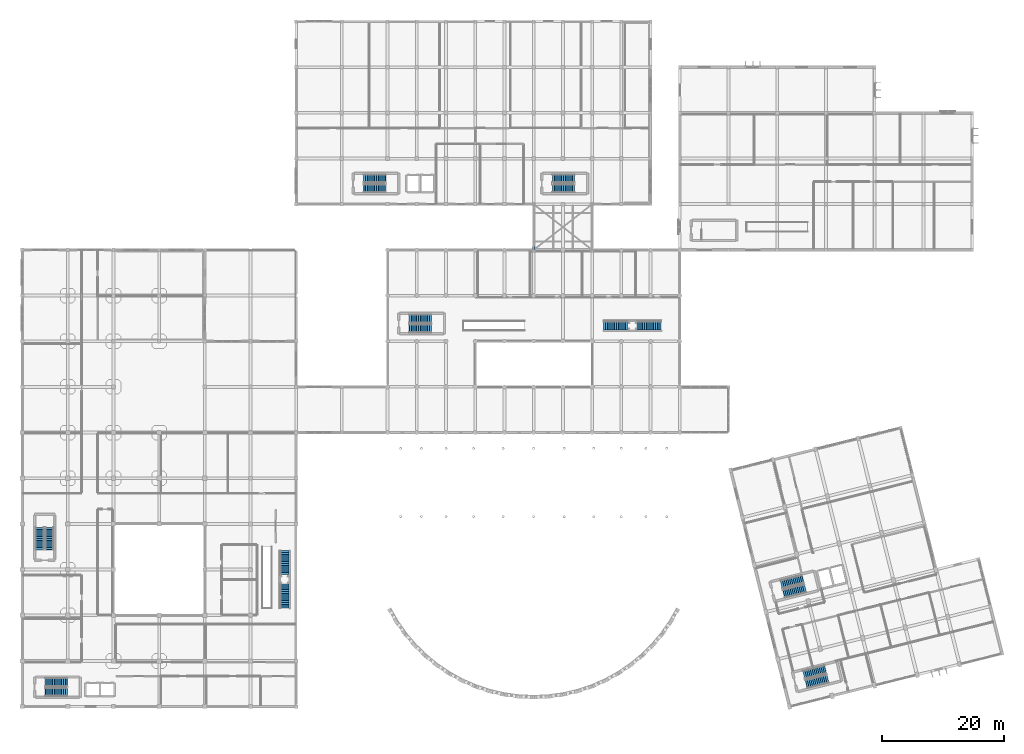
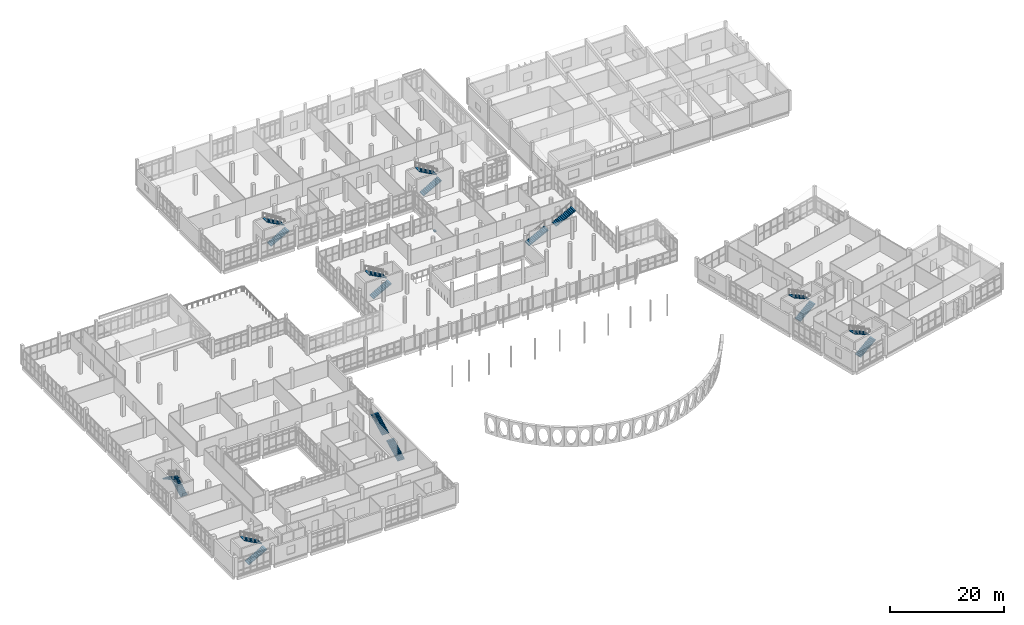
# One storey, part 150 of 164: 18 stair flights, 1 discrete accessory, 9 elements without a shape of their own.
"""IFC4 building model written with IfcOpenShell, lengths in metres."""

from ifc_helpers import new_model, si_unit, direction, frame, origin, origin_2d, place, context, subcontext, project, spatial, polyline, rectangle, outline, extrude, material, layer, layer_set, type_object, element, aggregate, save


model = new_model("IFC4")

# Units and contexts
model_context = context("Model", 3, precision=1e-05, world=origin(), true_north=direction((0.0, 1.0)))
body_context = subcontext(model_context, "Body", "Model", "MODEL_VIEW")
ifc_project = project(units=[si_unit("LENGTHUNIT", "METRE"), si_unit("AREAUNIT", "SQUARE_METRE"), si_unit("VOLUMEUNIT", "CUBIC_METRE"), si_unit("PLANEANGLEUNIT", "RADIAN"), si_unit("MASSUNIT", "GRAM", prefix="KILO")], contexts=[model_context])

# Site, building, storey
site_placement = place(None, origin())
site = spatial("IfcSite", under=ifc_project, at=site_placement, CompositionType="ELEMENT")
building_placement = place(site_placement, origin())
building = spatial("IfcBuilding", under=site, at=building_placement, Name="Mawjan Specialist Oncology Clinic", CompositionType="ELEMENT")
storey_placement = place(building_placement, frame((0.0, 0.0, 5.0)))
storey = spatial("IfcBuildingStorey", under=building, at=storey_placement, Name="L01", CompositionType="ELEMENT", Elevation=5.0)

# Stair, stair flights
ifc_material_1 = material(Name="Concrete C35/45", Category="concrete")
stair_type_1 = type_object("IfcStairType", Name="STR-COMM", PredefinedType="STRAIGHT_RUN_STAIR", material=ifc_material_1)
stair_1_placement = place(storey_placement, origin())
stair_1 = element("IfcStair", 1, at=stair_1_placement, inside=storey, type_object=stair_type_1, Name="Outpatient Court Communicating Stair ST-11", PredefinedType="STRAIGHT_RUN_STAIR")
ifc_material_2 = material(Name="Concrete C35/45", Category="concrete")
ifc_layer_1 = layer(ifc_material_2, 0.159912109375, Name="Concrete C35/45", Category="concrete")
ifc_layer_set_1 = layer_set([ifc_layer_1], Name="Concrete C35/45")
stair_flight_type_1 = type_object("IfcStairFlightType", Name="FLT-COMM", PredefinedType="STRAIGHT", material=ifc_layer_set_1)
stair_flight_1_placement = place(storey_placement, frame((43.10009765625, 17.0, 0.0), z_axis=(0.0, 0.0, 1.0), x_axis=(0.0, 1.0, 0.0)))
stair_flight_1 = element("IfcStairFlight", 2, at=stair_flight_1_placement, type_object=stair_flight_type_1, Name="ST-11 flight 1", NumberOfRisers=14, NumberOfTreads=13, PredefinedType="STRAIGHT", RiserHeight=0.160714, TreadLength=0.3, context=body_context, shape_type="SweptSolid", body=[
    extrude(outline(polyline([(-0.044921875, -0.0400390625), (-0.044921875, 0.0), (0.0, 0.0), (0.0, 0.16064453125), (0.300048828125, 0.16064453125), (0.300048828125, 0.321533203125), (0.60009765625, 0.321533203125), (0.60009765625, 0.482177734375), (0.89990234375, 0.482177734375), (0.89990234375, 0.642822265625), (1.199951171875, 0.642822265625), (1.199951171875, 0.803466796875), (1.5, 0.803466796875), (1.5, 0.96435546875), (1.800048828125, 0.96435546875), (1.800048828125, 1.125), (2.10009765625, 1.125), (2.10009765625, 1.28564453125), (2.39990234375, 1.28564453125), (2.39990234375, 1.446533203125), (2.699951171875, 1.446533203125), (2.699951171875, 1.607177734375), (3.0, 1.607177734375), (3.0, 1.767822265625), (3.300048828125, 1.767822265625), (3.300048828125, 1.928466796875), (3.60009765625, 1.928466796875), (3.60009765625, 2.08935546875), (3.89990234375, 2.08935546875), (3.945068359375, 2.08935546875), (3.945068359375, 1.929443359375), (0.044921875, -0.0400390625), (-0.044921875, -0.0400390625)])), frame((0.0, 0.72509765625, 0.0), z_axis=(0.0, -1.0, 0.0), x_axis=(1.0, 0.0, 0.0)), (0.0, 0.0, 1.0), 1.449951171875),
])
stair_flight_2_placement = place(storey_placement, frame((43.10009765625, 22.5, 2.25), z_axis=(0.0, 0.0, 1.0), x_axis=(0.0, 1.0, 0.0)))
stair_flight_2 = element("IfcStairFlight", 3, at=stair_flight_2_placement, type_object=stair_flight_type_1, Name="ST-11 flight 2", NumberOfRisers=14, NumberOfTreads=13, PredefinedType="STRAIGHT", RiserHeight=0.160714, TreadLength=0.3, context=body_context, shape_type="SweptSolid", body=[
    extrude(outline(polyline([(-0.044921875, -0.0400390625), (-0.044921875, 0.0), (0.0, 0.0), (0.0, 0.16064453125), (0.300048828125, 0.16064453125), (0.300048828125, 0.321533203125), (0.60009765625, 0.321533203125), (0.60009765625, 0.482177734375), (0.89990234375, 0.482177734375), (0.89990234375, 0.642822265625), (1.199951171875, 0.642822265625), (1.199951171875, 0.803466796875), (1.5, 0.803466796875), (1.5, 0.96435546875), (1.800048828125, 0.96435546875), (1.800048828125, 1.125), (2.10009765625, 1.125), (2.10009765625, 1.28564453125), (2.39990234375, 1.28564453125), (2.39990234375, 1.446533203125), (2.699951171875, 1.446533203125), (2.699951171875, 1.607177734375), (3.0, 1.607177734375), (3.0, 1.767822265625), (3.300048828125, 1.767822265625), (3.300048828125, 1.928466796875), (3.60009765625, 1.928466796875), (3.60009765625, 2.08935546875), (3.89990234375, 2.08935546875), (3.945068359375, 2.08935546875), (3.945068359375, 1.929443359375), (0.044921875, -0.0400390625), (-0.044921875, -0.0400390625)])), frame((0.0, 0.72509765625, 0.0), z_axis=(0.0, -1.0, 0.0), x_axis=(1.0, 0.0, 0.0)), (0.0, 0.0, 1.0), 1.449951171875),
])
aggregate(stair_1, [stair_flight_1, stair_flight_2])

stair_2_placement = place(storey_placement, origin())
stair_2 = element("IfcStair", 4, at=stair_2_placement, inside=storey, type_object=stair_type_1, Name="Treatment Gallery Communicating Stair ST-13", PredefinedType="STRAIGHT_RUN_STAIR")
stair_flight_3_placement = place(storey_placement, frame((95.5, 63.35009765625, 0.0), z_axis=(0.0, 0.0, 1.0), x_axis=(1.0, 0.0, 0.0)))
stair_flight_3 = element("IfcStairFlight", 5, at=stair_flight_3_placement, type_object=stair_flight_type_1, Name="ST-13 flight 1", NumberOfRisers=14, NumberOfTreads=13, PredefinedType="STRAIGHT", RiserHeight=0.160714, TreadLength=0.3, context=body_context, shape_type="SweptSolid", body=[
    extrude(outline(polyline([(-0.044921875, -0.0400390625), (-0.044921875, 0.0), (0.0, 0.0), (0.0, 0.16064453125), (0.300048828125, 0.16064453125), (0.300048828125, 0.321533203125), (0.60009765625, 0.321533203125), (0.60009765625, 0.482177734375), (0.89990234375, 0.482177734375), (0.89990234375, 0.642822265625), (1.199951171875, 0.642822265625), (1.199951171875, 0.803466796875), (1.5, 0.803466796875), (1.5, 0.96435546875), (1.800048828125, 0.96435546875), (1.800048828125, 1.125), (2.10009765625, 1.125), (2.10009765625, 1.28564453125), (2.39990234375, 1.28564453125), (2.39990234375, 1.446533203125), (2.699951171875, 1.446533203125), (2.699951171875, 1.607177734375), (3.0, 1.607177734375), (3.0, 1.767822265625), (3.300048828125, 1.767822265625), (3.300048828125, 1.928466796875), (3.60009765625, 1.928466796875), (3.60009765625, 2.08935546875), (3.89990234375, 2.08935546875), (3.945068359375, 2.08935546875), (3.945068359375, 1.929443359375), (0.044921875, -0.0400390625), (-0.044921875, -0.0400390625)])), frame((0.0, 0.72509765625, 0.0), z_axis=(0.0, -1.0, 0.0), x_axis=(1.0, 0.0, 0.0)), (0.0, 0.0, 1.0), 1.449951171875),
])
stair_flight_4_placement = place(storey_placement, frame((101.0, 63.35009765625, 2.25), z_axis=(0.0, 0.0, 1.0), x_axis=(1.0, 0.0, 0.0)))
stair_flight_4 = element("IfcStairFlight", 6, at=stair_flight_4_placement, type_object=stair_flight_type_1, Name="ST-13 flight 2", NumberOfRisers=14, NumberOfTreads=13, PredefinedType="STRAIGHT", RiserHeight=0.160714, TreadLength=0.3, context=body_context, shape_type="SweptSolid", body=[
    extrude(outline(polyline([(-0.044921875, -0.0400390625), (-0.044921875, 0.0), (0.0, 0.0), (0.0, 0.16064453125), (0.300048828125, 0.16064453125), (0.300048828125, 0.321533203125), (0.60009765625, 0.321533203125), (0.60009765625, 0.482177734375), (0.89990234375, 0.482177734375), (0.89990234375, 0.642822265625), (1.199951171875, 0.642822265625), (1.199951171875, 0.803466796875), (1.5, 0.803466796875), (1.5, 0.96435546875), (1.800048828125, 0.96435546875), (1.800048828125, 1.125), (2.10009765625, 1.125), (2.10009765625, 1.28564453125), (2.39990234375, 1.28564453125), (2.39990234375, 1.446533203125), (2.699951171875, 1.446533203125), (2.699951171875, 1.607177734375), (3.0, 1.607177734375), (3.0, 1.767822265625), (3.300048828125, 1.767822265625), (3.300048828125, 1.928466796875), (3.60009765625, 1.928466796875), (3.60009765625, 2.08935546875), (3.89990234375, 2.08935546875), (3.945068359375, 2.08935546875), (3.945068359375, 1.929443359375), (0.044921875, -0.0400390625), (-0.044921875, -0.0400390625)])), frame((0.0, 0.72509765625, 0.0), z_axis=(0.0, -1.0, 0.0), x_axis=(1.0, 0.0, 0.0)), (0.0, 0.0, 1.0), 1.449951171875),
])
aggregate(stair_2, [stair_flight_3, stair_flight_4])

ifc_material_3 = material(Name="Concrete C35/45", Category="concrete")
stair_type_2 = type_object("IfcStairType", Name="STR-CORE45", PredefinedType="HALF_TURN_STAIR", material=ifc_material_3)
stair_3_placement = place(storey_placement, origin())
stair_3 = element("IfcStair", 7, at=stair_3_placement, inside=storey, type_object=stair_type_2, Name="L01 Exit Stair ST-01", PredefinedType="HALF_TURN_STAIR")
ifc_material_4 = material(Name="Concrete C35/45", Category="concrete")
ifc_layer_2 = layer(ifc_material_4, 0.14990234375, Name="Concrete C35/45", Category="concrete")
ifc_layer_set_2 = layer_set([ifc_layer_2], Name="Concrete C35/45")
stair_flight_type_2 = type_object("IfcStairFlightType", Name="FLT-CORE45", PredefinedType="STRAIGHT", material=ifc_layer_set_2)
stair_flight_5_placement = place(storey_placement, frame((3.800048828125, 3.199951171875, 0.0), z_axis=(0.0, 0.0, 1.0), x_axis=(1.0, 0.0, 0.0)))
stair_flight_5 = element("IfcStairFlight", 8, at=stair_flight_5_placement, type_object=stair_flight_type_2, Name="ST-01 flight 1", NumberOfRisers=13, NumberOfTreads=12, PredefinedType="STRAIGHT", RiserHeight=0.173076923, TreadLength=0.3, context=body_context, shape_type="SweptSolid", body=[
    extrude(outline(polyline([(-0.044921875, -0.0400390625), (-0.044921875, 0.0), (0.0, 0.0), (0.0, 0.173095703125), (0.300048828125, 0.173095703125), (0.300048828125, 0.34619140625), (0.60009765625, 0.34619140625), (0.60009765625, 0.519287109375), (0.89990234375, 0.519287109375), (0.89990234375, 0.6923828125), (1.199951171875, 0.6923828125), (1.199951171875, 0.865478515625), (1.5, 0.865478515625), (1.5, 1.03857421875), (1.800048828125, 1.03857421875), (1.800048828125, 1.21142578125), (2.10009765625, 1.21142578125), (2.10009765625, 1.384521484375), (2.39990234375, 1.384521484375), (2.39990234375, 1.5576171875), (2.699951171875, 1.5576171875), (2.699951171875, 1.730712890625), (3.0, 1.730712890625), (3.0, 1.90380859375), (3.300048828125, 1.90380859375), (3.300048828125, 2.076904296875), (3.60009765625, 2.076904296875), (3.64501953125, 2.076904296875), (3.64501953125, 1.927001953125), (0.044921875, -0.0400390625), (-0.044921875, -0.0400390625)])), frame((0.0, 0.699951171875, 0.0), z_axis=(0.0, -1.0, 0.0), x_axis=(1.0, 0.0, 0.0)), (0.0, 0.0, 1.0), 1.39990234375),
])
stair_flight_6_placement = place(storey_placement, frame((7.39990234375, 4.800048828125, 2.25), z_axis=(0.0, 0.0, 1.0), x_axis=(-1.0, 0.0, 0.0)))
stair_flight_6 = element("IfcStairFlight", 9, at=stair_flight_6_placement, type_object=stair_flight_type_2, Name="ST-01 flight 2", NumberOfRisers=13, NumberOfTreads=12, PredefinedType="STRAIGHT", RiserHeight=0.173076923, TreadLength=0.3, context=body_context, shape_type="SweptSolid", body=[
    extrude(outline(polyline([(-0.044921875, -0.0400390625), (-0.044921875, 0.0), (0.0, 0.0), (0.0, 0.173095703125), (0.300048828125, 0.173095703125), (0.300048828125, 0.34619140625), (0.60009765625, 0.34619140625), (0.60009765625, 0.519287109375), (0.89990234375, 0.519287109375), (0.89990234375, 0.6923828125), (1.199951171875, 0.6923828125), (1.199951171875, 0.865478515625), (1.5, 0.865478515625), (1.5, 1.03857421875), (1.800048828125, 1.03857421875), (1.800048828125, 1.21142578125), (2.10009765625, 1.21142578125), (2.10009765625, 1.384521484375), (2.39990234375, 1.384521484375), (2.39990234375, 1.5576171875), (2.699951171875, 1.5576171875), (2.699951171875, 1.730712890625), (3.0, 1.730712890625), (3.0, 1.90380859375), (3.300048828125, 1.90380859375), (3.300048828125, 2.076904296875), (3.60009765625, 2.076904296875), (3.64501953125, 2.076904296875), (3.64501953125, 1.927001953125), (0.044921875, -0.0400390625), (-0.044921875, -0.0400390625)])), frame((0.0, 0.699951171875, 0.0), z_axis=(0.0, -1.0, 0.0), x_axis=(1.0, 0.0, 0.0)), (0.0, 0.0, 1.0), 1.39990234375),
])
aggregate(stair_3, [stair_flight_5, stair_flight_6])

stair_4_placement = place(storey_placement, origin())
stair_4 = element("IfcStair", 10, at=stair_4_placement, inside=storey, type_object=stair_type_2, Name="L01 Exit Stair ST-02", PredefinedType="HALF_TURN_STAIR")
stair_flight_7_placement = place(storey_placement, frame((4.5, 26.60009765625, 0.0), z_axis=(0.0, 0.0, 1.0), x_axis=(0.0, 1.0, 0.0)))
stair_flight_7 = element("IfcStairFlight", 11, at=stair_flight_7_placement, type_object=stair_flight_type_2, Name="ST-02 flight 1", NumberOfRisers=13, NumberOfTreads=12, PredefinedType="STRAIGHT", RiserHeight=0.173076923, TreadLength=0.3, context=body_context, shape_type="SweptSolid", body=[
    extrude(outline(polyline([(-0.044921875, -0.0400390625), (-0.044921875, 0.0), (0.0, 0.0), (0.0, 0.173095703125), (0.300048828125, 0.173095703125), (0.300048828125, 0.34619140625), (0.60009765625, 0.34619140625), (0.60009765625, 0.519287109375), (0.89990234375, 0.519287109375), (0.89990234375, 0.6923828125), (1.199951171875, 0.6923828125), (1.199951171875, 0.865478515625), (1.5, 0.865478515625), (1.5, 1.03857421875), (1.800048828125, 1.03857421875), (1.800048828125, 1.21142578125), (2.10009765625, 1.21142578125), (2.10009765625, 1.384521484375), (2.39990234375, 1.384521484375), (2.39990234375, 1.5576171875), (2.699951171875, 1.5576171875), (2.699951171875, 1.730712890625), (3.0, 1.730712890625), (3.0, 1.90380859375), (3.300048828125, 1.90380859375), (3.300048828125, 2.076904296875), (3.60009765625, 2.076904296875), (3.64501953125, 2.076904296875), (3.64501953125, 1.927001953125), (0.044921875, -0.0400390625), (-0.044921875, -0.0400390625)])), frame((0.0, 0.699951171875, 0.0), z_axis=(0.0, -1.0, 0.0), x_axis=(1.0, 0.0, 0.0)), (0.0, 0.0, 1.0), 1.39990234375),
])
stair_flight_8_placement = place(storey_placement, frame((2.89990234375, 30.199951171875, 2.25), z_axis=(0.0, 0.0, 1.0), x_axis=(0.0, -1.0, 0.0)))
stair_flight_8 = element("IfcStairFlight", 12, at=stair_flight_8_placement, type_object=stair_flight_type_2, Name="ST-02 flight 2", NumberOfRisers=13, NumberOfTreads=12, PredefinedType="STRAIGHT", RiserHeight=0.173076923, TreadLength=0.3, context=body_context, shape_type="SweptSolid", body=[
    extrude(outline(polyline([(-0.044921875, -0.0400390625), (-0.044921875, 0.0), (0.0, 0.0), (0.0, 0.173095703125), (0.300048828125, 0.173095703125), (0.300048828125, 0.34619140625), (0.60009765625, 0.34619140625), (0.60009765625, 0.519287109375), (0.89990234375, 0.519287109375), (0.89990234375, 0.6923828125), (1.199951171875, 0.6923828125), (1.199951171875, 0.865478515625), (1.5, 0.865478515625), (1.5, 1.03857421875), (1.800048828125, 1.03857421875), (1.800048828125, 1.21142578125), (2.10009765625, 1.21142578125), (2.10009765625, 1.384521484375), (2.39990234375, 1.384521484375), (2.39990234375, 1.5576171875), (2.699951171875, 1.5576171875), (2.699951171875, 1.730712890625), (3.0, 1.730712890625), (3.0, 1.90380859375), (3.300048828125, 1.90380859375), (3.300048828125, 2.076904296875), (3.60009765625, 2.076904296875), (3.64501953125, 2.076904296875), (3.64501953125, 1.927001953125), (0.044921875, -0.0400390625), (-0.044921875, -0.0400390625)])), frame((0.0, 0.699951171875, 0.0), z_axis=(0.0, -1.0, 0.0), x_axis=(1.0, 0.0, 0.0)), (0.0, 0.0, 1.0), 1.39990234375),
])
aggregate(stair_4, [stair_flight_7, stair_flight_8])

stair_5_placement = place(storey_placement, origin())
stair_5 = element("IfcStair", 13, at=stair_5_placement, inside=storey, type_object=stair_type_2, Name="L01 Exit Stair ST-03", PredefinedType="HALF_TURN_STAIR")
stair_flight_9_placement = place(storey_placement, frame((56.10009765625, 85.89990234375, 0.0), z_axis=(0.0, 0.0, 1.0), x_axis=(1.0, 0.0, 0.0)))
stair_flight_9 = element("IfcStairFlight", 14, at=stair_flight_9_placement, type_object=stair_flight_type_2, Name="ST-03 flight 1", NumberOfRisers=13, NumberOfTreads=12, PredefinedType="STRAIGHT", RiserHeight=0.173076923, TreadLength=0.3, context=body_context, shape_type="SweptSolid", body=[
    extrude(outline(polyline([(-0.044921875, -0.0400390625), (-0.044921875, 0.0), (0.0, 0.0), (0.0, 0.173095703125), (0.300048828125, 0.173095703125), (0.300048828125, 0.34619140625), (0.60009765625, 0.34619140625), (0.60009765625, 0.519287109375), (0.89990234375, 0.519287109375), (0.89990234375, 0.6923828125), (1.199951171875, 0.6923828125), (1.199951171875, 0.865478515625), (1.5, 0.865478515625), (1.5, 1.03857421875), (1.800048828125, 1.03857421875), (1.800048828125, 1.21142578125), (2.10009765625, 1.21142578125), (2.10009765625, 1.384521484375), (2.39990234375, 1.384521484375), (2.39990234375, 1.5576171875), (2.699951171875, 1.5576171875), (2.699951171875, 1.730712890625), (3.0, 1.730712890625), (3.0, 1.90380859375), (3.300048828125, 1.90380859375), (3.300048828125, 2.076904296875), (3.60009765625, 2.076904296875), (3.64501953125, 2.076904296875), (3.64501953125, 1.927001953125), (0.044921875, -0.0400390625), (-0.044921875, -0.0400390625)])), frame((0.0, 0.699951171875, 0.0), z_axis=(0.0, -1.0, 0.0), x_axis=(1.0, 0.0, 0.0)), (0.0, 0.0, 1.0), 1.39990234375),
])
stair_flight_10_placement = place(storey_placement, frame((59.699951171875, 87.5, 2.25), z_axis=(0.0, 0.0, 1.0), x_axis=(-1.0, 0.0, 0.0)))
stair_flight_10 = element("IfcStairFlight", 15, at=stair_flight_10_placement, type_object=stair_flight_type_2, Name="ST-03 flight 2", NumberOfRisers=13, NumberOfTreads=12, PredefinedType="STRAIGHT", RiserHeight=0.173076923, TreadLength=0.3, context=body_context, shape_type="SweptSolid", body=[
    extrude(outline(polyline([(-0.044921875, -0.0400390625), (-0.044921875, 0.0), (0.0, 0.0), (0.0, 0.173095703125), (0.300048828125, 0.173095703125), (0.300048828125, 0.34619140625), (0.60009765625, 0.34619140625), (0.60009765625, 0.519287109375), (0.89990234375, 0.519287109375), (0.89990234375, 0.6923828125), (1.199951171875, 0.6923828125), (1.199951171875, 0.865478515625), (1.5, 0.865478515625), (1.5, 1.03857421875), (1.800048828125, 1.03857421875), (1.800048828125, 1.21142578125), (2.10009765625, 1.21142578125), (2.10009765625, 1.384521484375), (2.39990234375, 1.384521484375), (2.39990234375, 1.5576171875), (2.699951171875, 1.5576171875), (2.699951171875, 1.730712890625), (3.0, 1.730712890625), (3.0, 1.90380859375), (3.300048828125, 1.90380859375), (3.300048828125, 2.076904296875), (3.60009765625, 2.076904296875), (3.64501953125, 2.076904296875), (3.64501953125, 1.927001953125), (0.044921875, -0.0400390625), (-0.044921875, -0.0400390625)])), frame((0.0, 0.699951171875, 0.0), z_axis=(0.0, -1.0, 0.0), x_axis=(1.0, 0.0, 0.0)), (0.0, 0.0, 1.0), 1.39990234375),
])
aggregate(stair_5, [stair_flight_9, stair_flight_10])

stair_6_placement = place(storey_placement, origin())
stair_6 = element("IfcStair", 16, at=stair_6_placement, inside=storey, type_object=stair_type_2, Name="L01 Exit Stair ST-04", PredefinedType="HALF_TURN_STAIR")
stair_flight_11_placement = place(storey_placement, frame((87.10009765625, 85.89990234375, 0.0), z_axis=(0.0, 0.0, 1.0), x_axis=(1.0, 0.0, 0.0)))
stair_flight_11 = element("IfcStairFlight", 17, at=stair_flight_11_placement, type_object=stair_flight_type_2, Name="ST-04 flight 1", NumberOfRisers=13, NumberOfTreads=12, PredefinedType="STRAIGHT", RiserHeight=0.173076923, TreadLength=0.3, context=body_context, shape_type="SweptSolid", body=[
    extrude(outline(polyline([(-0.044921875, -0.0400390625), (-0.044921875, 0.0), (0.0, 0.0), (0.0, 0.173095703125), (0.300048828125, 0.173095703125), (0.300048828125, 0.34619140625), (0.60009765625, 0.34619140625), (0.60009765625, 0.519287109375), (0.89990234375, 0.519287109375), (0.89990234375, 0.6923828125), (1.199951171875, 0.6923828125), (1.199951171875, 0.865478515625), (1.5, 0.865478515625), (1.5, 1.03857421875), (1.800048828125, 1.03857421875), (1.800048828125, 1.21142578125), (2.10009765625, 1.21142578125), (2.10009765625, 1.384521484375), (2.39990234375, 1.384521484375), (2.39990234375, 1.5576171875), (2.699951171875, 1.5576171875), (2.699951171875, 1.730712890625), (3.0, 1.730712890625), (3.0, 1.90380859375), (3.300048828125, 1.90380859375), (3.300048828125, 2.076904296875), (3.60009765625, 2.076904296875), (3.64501953125, 2.076904296875), (3.64501953125, 1.927001953125), (0.044921875, -0.0400390625), (-0.044921875, -0.0400390625)])), frame((0.0, 0.699951171875, 0.0), z_axis=(0.0, -1.0, 0.0), x_axis=(1.0, 0.0, 0.0)), (0.0, 0.0, 1.0), 1.39990234375),
])
stair_flight_12_placement = place(storey_placement, frame((90.699951171875, 87.5, 2.25), z_axis=(0.0, 0.0, 1.0), x_axis=(-1.0, 0.0, 0.0)))
stair_flight_12 = element("IfcStairFlight", 18, at=stair_flight_12_placement, type_object=stair_flight_type_2, Name="ST-04 flight 2", NumberOfRisers=13, NumberOfTreads=12, PredefinedType="STRAIGHT", RiserHeight=0.173076923, TreadLength=0.3, context=body_context, shape_type="SweptSolid", body=[
    extrude(outline(polyline([(-0.044921875, -0.0400390625), (-0.044921875, 0.0), (0.0, 0.0), (0.0, 0.173095703125), (0.300048828125, 0.173095703125), (0.300048828125, 0.34619140625), (0.60009765625, 0.34619140625), (0.60009765625, 0.519287109375), (0.89990234375, 0.519287109375), (0.89990234375, 0.6923828125), (1.199951171875, 0.6923828125), (1.199951171875, 0.865478515625), (1.5, 0.865478515625), (1.5, 1.03857421875), (1.800048828125, 1.03857421875), (1.800048828125, 1.21142578125), (2.10009765625, 1.21142578125), (2.10009765625, 1.384521484375), (2.39990234375, 1.384521484375), (2.39990234375, 1.5576171875), (2.699951171875, 1.5576171875), (2.699951171875, 1.730712890625), (3.0, 1.730712890625), (3.0, 1.90380859375), (3.300048828125, 1.90380859375), (3.300048828125, 2.076904296875), (3.60009765625, 2.076904296875), (3.64501953125, 2.076904296875), (3.64501953125, 1.927001953125), (0.044921875, -0.0400390625), (-0.044921875, -0.0400390625)])), frame((0.0, 0.699951171875, 0.0), z_axis=(0.0, -1.0, 0.0), x_axis=(1.0, 0.0, 0.0)), (0.0, 0.0, 1.0), 1.39990234375),
])
aggregate(stair_6, [stair_flight_11, stair_flight_12])

stair_7_placement = place(storey_placement, origin())
stair_7 = element("IfcStair", 19, at=stair_7_placement, inside=storey, type_object=stair_type_2, Name="L01 Exit Stair ST-05", PredefinedType="HALF_TURN_STAIR")
stair_flight_13_placement = place(storey_placement, frame((125.090087890625, 19.330322265625, 0.0), z_axis=(0.0, 0.0, 1.0), x_axis=(0.970295726276, 0.2419218956, 0.0)))
stair_flight_13 = element("IfcStairFlight", 20, at=stair_flight_13_placement, type_object=stair_flight_type_2, Name="ST-05 flight 1", NumberOfRisers=13, NumberOfTreads=12, PredefinedType="STRAIGHT", RiserHeight=0.173076923, TreadLength=0.3, context=body_context, shape_type="SweptSolid", body=[
    extrude(outline(polyline([(-0.044921875, -0.0400390625), (-0.044921875, 0.0), (0.0, 0.0), (0.0, 0.173095703125), (0.300048828125, 0.173095703125), (0.300048828125, 0.34619140625), (0.60009765625, 0.34619140625), (0.60009765625, 0.519287109375), (0.89990234375, 0.519287109375), (0.89990234375, 0.6923828125), (1.199951171875, 0.6923828125), (1.199951171875, 0.865478515625), (1.5, 0.865478515625), (1.5, 1.03857421875), (1.800048828125, 1.03857421875), (1.800048828125, 1.21142578125), (2.10009765625, 1.21142578125), (2.10009765625, 1.384521484375), (2.39990234375, 1.384521484375), (2.39990234375, 1.5576171875), (2.699951171875, 1.5576171875), (2.699951171875, 1.730712890625), (3.0, 1.730712890625), (3.0, 1.90380859375), (3.300048828125, 1.90380859375), (3.300048828125, 2.076904296875), (3.60009765625, 2.076904296875), (3.64501953125, 2.076904296875), (3.64501953125, 1.927001953125), (0.044921875, -0.0400390625), (-0.044921875, -0.0400390625)])), frame((0.0, 0.699951171875, 0.0), z_axis=(0.0, -1.0, 0.0), x_axis=(1.0, 0.0, 0.0)), (0.0, 0.0, 1.0), 1.39990234375),
])
stair_flight_14_placement = place(storey_placement, frame((128.196044921875, 21.753662109375, 2.25), z_axis=(0.0, 0.0, 1.0), x_axis=(-0.970295726276, -0.2419218956, 0.0)))
stair_flight_14 = element("IfcStairFlight", 21, at=stair_flight_14_placement, type_object=stair_flight_type_2, Name="ST-05 flight 2", NumberOfRisers=13, NumberOfTreads=12, PredefinedType="STRAIGHT", RiserHeight=0.173076923, TreadLength=0.3, context=body_context, shape_type="SweptSolid", body=[
    extrude(outline(polyline([(-0.044921875, -0.0400390625), (-0.044921875, 0.0), (0.0, 0.0), (0.0, 0.173095703125), (0.300048828125, 0.173095703125), (0.300048828125, 0.34619140625), (0.60009765625, 0.34619140625), (0.60009765625, 0.519287109375), (0.89990234375, 0.519287109375), (0.89990234375, 0.6923828125), (1.199951171875, 0.6923828125), (1.199951171875, 0.865478515625), (1.5, 0.865478515625), (1.5, 1.03857421875), (1.800048828125, 1.03857421875), (1.800048828125, 1.21142578125), (2.10009765625, 1.21142578125), (2.10009765625, 1.384521484375), (2.39990234375, 1.384521484375), (2.39990234375, 1.5576171875), (2.699951171875, 1.5576171875), (2.699951171875, 1.730712890625), (3.0, 1.730712890625), (3.0, 1.90380859375), (3.300048828125, 1.90380859375), (3.300048828125, 2.076904296875), (3.60009765625, 2.076904296875), (3.64501953125, 2.076904296875), (3.64501953125, 1.927001953125), (0.044921875, -0.0400390625), (-0.044921875, -0.0400390625)])), frame((0.0, 0.699951171875, 0.0), z_axis=(0.0, -1.0, 0.0), x_axis=(1.0, 0.0, 0.0)), (0.0, 0.0, 1.0), 1.39990234375),
])
aggregate(stair_7, [stair_flight_13, stair_flight_14])

stair_8_placement = place(storey_placement, origin())
stair_8 = element("IfcStair", 22, at=stair_8_placement, inside=storey, type_object=stair_type_2, Name="L01 Exit Stair ST-06", PredefinedType="HALF_TURN_STAIR")
stair_flight_15_placement = place(storey_placement, frame((128.79150390625, 4.48486328125, 0.0), z_axis=(0.0, 0.0, 1.0), x_axis=(0.970295726276, 0.2419218956, 0.0)))
stair_flight_15 = element("IfcStairFlight", 23, at=stair_flight_15_placement, type_object=stair_flight_type_2, Name="ST-06 flight 1", NumberOfRisers=13, NumberOfTreads=12, PredefinedType="STRAIGHT", RiserHeight=0.173076923, TreadLength=0.3, context=body_context, shape_type="SweptSolid", body=[
    extrude(outline(polyline([(-0.044921875, -0.0400390625), (-0.044921875, 0.0), (0.0, 0.0), (0.0, 0.173095703125), (0.300048828125, 0.173095703125), (0.300048828125, 0.34619140625), (0.60009765625, 0.34619140625), (0.60009765625, 0.519287109375), (0.89990234375, 0.519287109375), (0.89990234375, 0.6923828125), (1.199951171875, 0.6923828125), (1.199951171875, 0.865478515625), (1.5, 0.865478515625), (1.5, 1.03857421875), (1.800048828125, 1.03857421875), (1.800048828125, 1.21142578125), (2.10009765625, 1.21142578125), (2.10009765625, 1.384521484375), (2.39990234375, 1.384521484375), (2.39990234375, 1.5576171875), (2.699951171875, 1.5576171875), (2.699951171875, 1.730712890625), (3.0, 1.730712890625), (3.0, 1.90380859375), (3.300048828125, 1.90380859375), (3.300048828125, 2.076904296875), (3.60009765625, 2.076904296875), (3.64501953125, 2.076904296875), (3.64501953125, 1.927001953125), (0.044921875, -0.0400390625), (-0.044921875, -0.0400390625)])), frame((0.0, 0.699951171875, 0.0), z_axis=(0.0, -1.0, 0.0), x_axis=(1.0, 0.0, 0.0)), (0.0, 0.0, 1.0), 1.39990234375),
])
stair_flight_16_placement = place(storey_placement, frame((131.8974609375, 6.908203125, 2.25), z_axis=(0.0, 0.0, 1.0), x_axis=(-0.970295726276, -0.2419218956, 0.0)))
stair_flight_16 = element("IfcStairFlight", 24, at=stair_flight_16_placement, type_object=stair_flight_type_2, Name="ST-06 flight 2", NumberOfRisers=13, NumberOfTreads=12, PredefinedType="STRAIGHT", RiserHeight=0.173076923, TreadLength=0.3, context=body_context, shape_type="SweptSolid", body=[
    extrude(outline(polyline([(-0.044921875, -0.0400390625), (-0.044921875, 0.0), (0.0, 0.0), (0.0, 0.173095703125), (0.300048828125, 0.173095703125), (0.300048828125, 0.34619140625), (0.60009765625, 0.34619140625), (0.60009765625, 0.519287109375), (0.89990234375, 0.519287109375), (0.89990234375, 0.6923828125), (1.199951171875, 0.6923828125), (1.199951171875, 0.865478515625), (1.5, 0.865478515625), (1.5, 1.03857421875), (1.800048828125, 1.03857421875), (1.800048828125, 1.21142578125), (2.10009765625, 1.21142578125), (2.10009765625, 1.384521484375), (2.39990234375, 1.384521484375), (2.39990234375, 1.5576171875), (2.699951171875, 1.5576171875), (2.699951171875, 1.730712890625), (3.0, 1.730712890625), (3.0, 1.90380859375), (3.300048828125, 1.90380859375), (3.300048828125, 2.076904296875), (3.60009765625, 2.076904296875), (3.64501953125, 2.076904296875), (3.64501953125, 1.927001953125), (0.044921875, -0.0400390625), (-0.044921875, -0.0400390625)])), frame((0.0, 0.699951171875, 0.0), z_axis=(0.0, -1.0, 0.0), x_axis=(1.0, 0.0, 0.0)), (0.0, 0.0, 1.0), 1.39990234375),
])
aggregate(stair_8, [stair_flight_15, stair_flight_16])

stair_9_placement = place(storey_placement, origin())
stair_9 = element("IfcStair", 25, at=stair_9_placement, inside=storey, type_object=stair_type_2, Name="L01 Exit Stair ST-07", PredefinedType="HALF_TURN_STAIR")
stair_flight_17_placement = place(storey_placement, frame((63.60009765625, 62.89990234375, 0.0), z_axis=(0.0, 0.0, 1.0), x_axis=(1.0, 0.0, 0.0)))
stair_flight_17 = element("IfcStairFlight", 26, at=stair_flight_17_placement, type_object=stair_flight_type_2, Name="ST-07 flight 1", NumberOfRisers=13, NumberOfTreads=12, PredefinedType="STRAIGHT", RiserHeight=0.173076923, TreadLength=0.3, context=body_context, shape_type="SweptSolid", body=[
    extrude(outline(polyline([(-0.044921875, -0.0400390625), (-0.044921875, 0.0), (0.0, 0.0), (0.0, 0.173095703125), (0.300048828125, 0.173095703125), (0.300048828125, 0.34619140625), (0.60009765625, 0.34619140625), (0.60009765625, 0.519287109375), (0.89990234375, 0.519287109375), (0.89990234375, 0.6923828125), (1.199951171875, 0.6923828125), (1.199951171875, 0.865478515625), (1.5, 0.865478515625), (1.5, 1.03857421875), (1.800048828125, 1.03857421875), (1.800048828125, 1.21142578125), (2.10009765625, 1.21142578125), (2.10009765625, 1.384521484375), (2.39990234375, 1.384521484375), (2.39990234375, 1.5576171875), (2.699951171875, 1.5576171875), (2.699951171875, 1.730712890625), (3.0, 1.730712890625), (3.0, 1.90380859375), (3.300048828125, 1.90380859375), (3.300048828125, 2.076904296875), (3.60009765625, 2.076904296875), (3.64501953125, 2.076904296875), (3.64501953125, 1.927001953125), (0.044921875, -0.0400390625), (-0.044921875, -0.0400390625)])), frame((0.0, 0.699951171875, 0.0), z_axis=(0.0, -1.0, 0.0), x_axis=(1.0, 0.0, 0.0)), (0.0, 0.0, 1.0), 1.39990234375),
])
stair_flight_18_placement = place(storey_placement, frame((67.199951171875, 64.5, 2.25), z_axis=(0.0, 0.0, 1.0), x_axis=(-1.0, 0.0, 0.0)))
stair_flight_18 = element("IfcStairFlight", 27, at=stair_flight_18_placement, type_object=stair_flight_type_2, Name="ST-07 flight 2", NumberOfRisers=13, NumberOfTreads=12, PredefinedType="STRAIGHT", RiserHeight=0.173076923, TreadLength=0.3, context=body_context, shape_type="SweptSolid", body=[
    extrude(outline(polyline([(-0.044921875, -0.0400390625), (-0.044921875, 0.0), (0.0, 0.0), (0.0, 0.173095703125), (0.300048828125, 0.173095703125), (0.300048828125, 0.34619140625), (0.60009765625, 0.34619140625), (0.60009765625, 0.519287109375), (0.89990234375, 0.519287109375), (0.89990234375, 0.6923828125), (1.199951171875, 0.6923828125), (1.199951171875, 0.865478515625), (1.5, 0.865478515625), (1.5, 1.03857421875), (1.800048828125, 1.03857421875), (1.800048828125, 1.21142578125), (2.10009765625, 1.21142578125), (2.10009765625, 1.384521484375), (2.39990234375, 1.384521484375), (2.39990234375, 1.5576171875), (2.699951171875, 1.5576171875), (2.699951171875, 1.730712890625), (3.0, 1.730712890625), (3.0, 1.90380859375), (3.300048828125, 1.90380859375), (3.300048828125, 2.076904296875), (3.60009765625, 2.076904296875), (3.64501953125, 2.076904296875), (3.64501953125, 1.927001953125), (0.044921875, -0.0400390625), (-0.044921875, -0.0400390625)])), frame((0.0, 0.699951171875, 0.0), z_axis=(0.0, -1.0, 0.0), x_axis=(1.0, 0.0, 0.0)), (0.0, 0.0, 1.0), 1.39990234375),
])
aggregate(stair_9, [stair_flight_17, stair_flight_18])

# Discrete accessory
ifc_material_5 = material(Name="Structural steel S355", Category="steel")
ifc_layer_3 = layer(ifc_material_5, 0.219970703125, Name="Structural steel S355", Category="steel")
ifc_layer_set_3 = layer_set([ifc_layer_3], Name="Structural steel S355")
discrete_accessory_type = type_object("IfcDiscreteAccessoryType", Name="BRK-S355", PredefinedType="BRACKET", material=ifc_layer_set_3)
discrete_accessory_placement = place(storey_placement, frame((84.0, 76.074951171875, -1.0048828125), z_axis=(0.0, 0.0, 1.0), x_axis=(1.0, 0.0, 0.0)))
element("IfcDiscreteAccessory", 28, at=discrete_accessory_placement, inside=storey, type_object=discrete_accessory_type, Name="Skybridge L01 SW 550mm Seat 300mm PTFE Sliding Bearing Pad", PredefinedType="BRACKET", context=body_context, shape_type="SweptSolid", body=[
    extrude(rectangle(XDim=0.39990234375, YDim=0.550048828125, at=origin_2d()), origin(), (0.0, 0.0, 1.0), 0.25),
])

save(model, "model.ifc")
